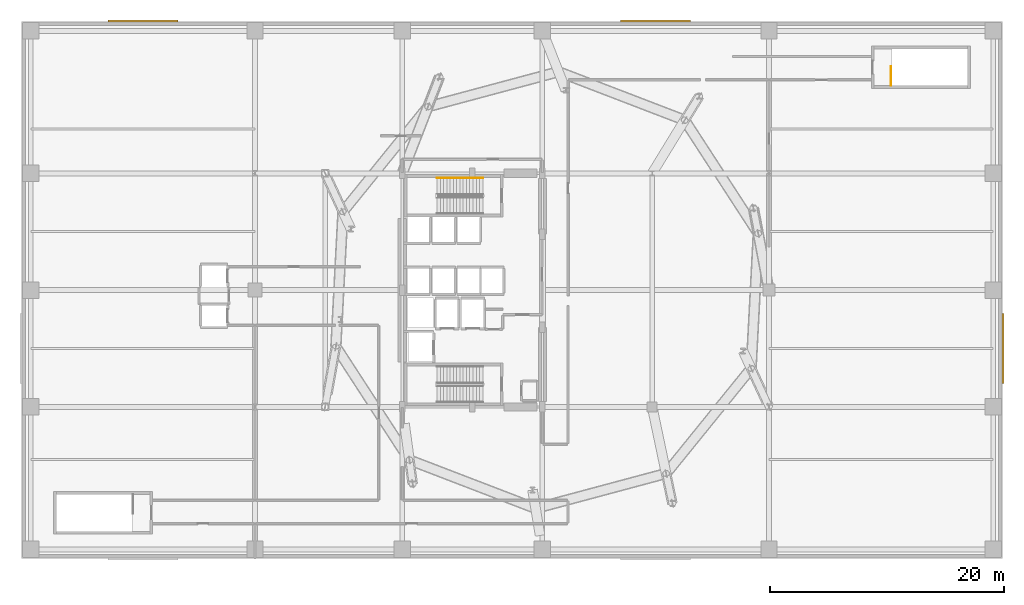
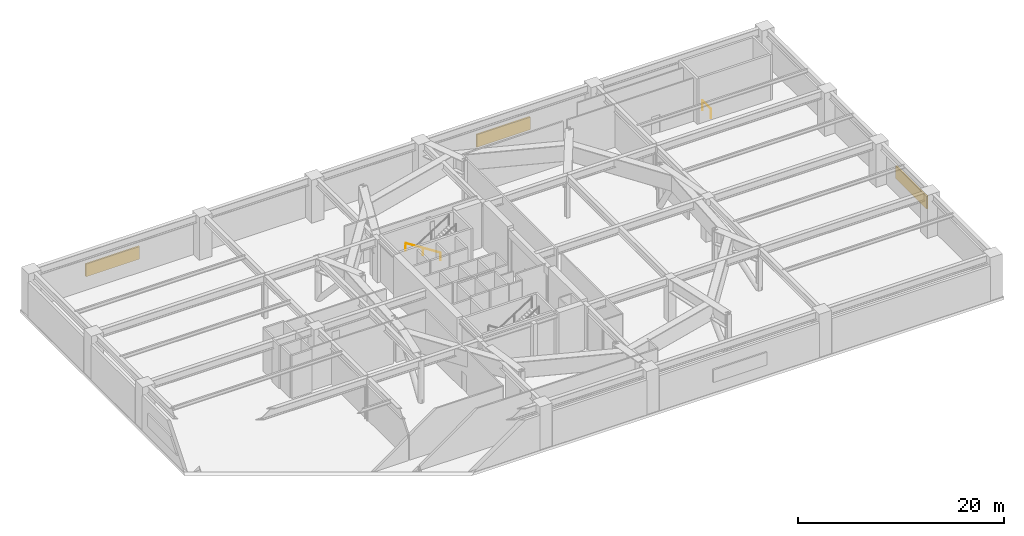
# One storey, part 12 of 12: 3 shading devices, 2 railings.
"""IFC4 building model written with IfcOpenShell, lengths in metres."""

from ifc_helpers import new_model, si_unit, direction, frame, origin, origin_2d, place, context, subcontext, project, spatial, rectangle, circle, extrude, material, layer, layer_set, type_object, element, save


model = new_model("IFC4")

# Units and contexts
model_context = context("Model", 3, precision=1e-05, world=origin(), true_north=direction((0.0, 1.0)))
body_context = subcontext(model_context, "Body", "Model", "MODEL_VIEW")
ifc_project = project(units=[si_unit("LENGTHUNIT", "METRE"), si_unit("AREAUNIT", "SQUARE_METRE"), si_unit("VOLUMEUNIT", "CUBIC_METRE"), si_unit("PLANEANGLEUNIT", "RADIAN"), si_unit("MASSUNIT", "GRAM", prefix="KILO")], contexts=[model_context])

# Site, building, storey
site_placement = place(None, origin())
site = spatial("IfcSite", under=ifc_project, at=site_placement, CompositionType="ELEMENT")
building_placement = place(site_placement, origin())
building = spatial("IfcBuilding", under=site, at=building_placement, Name="Soratama Intermodal Tower", CompositionType="ELEMENT")
storey_placement = place(building_placement, frame((0.0, 0.0, 25.199951171875)))
storey = spatial("IfcBuildingStorey", under=building, at=storey_placement, Name="L05", CompositionType="ELEMENT", Elevation=25.199951171875)

# Railings
ifc_material_1 = material(Name="Painted steel stair guardrail", Category="steel")
railing_type_1 = type_object("IfcRailingType", Name="RL-STAIR-GUARD", PredefinedType="GUARDRAIL", material=ifc_material_1)
railing_1_placement = place(storey_placement, frame((74.449951171875, 42.5, 0.0)))
element("IfcRailing", 1, at=railing_1_placement, inside=storey, type_object=railing_type_1, Name="L05 ST-4 top well guard 1", PredefinedType="GUARDRAIL", context=body_context, shape_type="SweptSolid", body=[
    extrude(circle(Radius=0.02392578125, at=origin_2d()), frame((0.0, 0.0, 1.1259765625), z_axis=(0.0, 1.0, 0.0), x_axis=(-1.0, 0.0, 0.0)), (0.0, 0.0, 1.0), 1.64990234375),
    extrude(circle(Radius=0.02099609375, at=origin_2d()), origin(), (0.0, 0.0, 1.0), 1.101806640625),
    extrude(circle(Radius=0.02099609375, at=origin_2d()), frame((0.0, 1.64990234375, 0.0)), (0.0, 0.0, 1.0), 1.101806640625),
])
ifc_material_2 = material(Name="Brushed stainless steel handrail", Category="steel")
railing_type_2 = type_object("IfcRailingType", Name="RL-STAIR-HAND", PredefinedType="HANDRAIL", material=ifc_material_2)
railing_2_placement = place(storey_placement, frame((39.5, 34.60009765625, 0.179931640625)))
element("IfcRailing", 2, at=railing_2_placement, inside=storey, type_object=railing_type_2, Name="L05 ST-2 stair handrail 1", PredefinedType="HANDRAIL", context=body_context, shape_type="SweptSolid", body=[
    extrude(circle(Radius=0.02392578125, at=origin_2d()), frame((0.0, 0.0, 0.8759765625), z_axis=(-0.841171666519, 0.0, 0.540768182723), x_axis=(0.0, -1.0, 0.0)), (0.0, 0.0, 1.0), 4.66015625),
    extrude(circle(Radius=0.02099609375, at=origin_2d()), origin(), (0.0, 0.0, 1.0), 0.851806640625),
    extrude(circle(Radius=0.02099609375, at=origin_2d()), frame((-1.9599609375, 0.0, 1.260009765625)), (0.0, 0.0, 1.0), 0.851806640625),
    extrude(circle(Radius=0.02099609375, at=origin_2d()), frame((-3.919921875, 0.0, 2.52001953125)), (0.0, 0.0, 1.0), 0.851806640625),
])

# Shading devices
ifc_material_3 = material(Name="Anodised aluminium weather louvre", Category="aluminium")
ifc_layer = layer(ifc_material_3, 0.1201171875)
ifc_layer_set = layer_set([ifc_layer], Name="Anodised aluminium weather louvre")
shading_device_type = type_object("IfcShadingDeviceType", Name="SH-LOUVRE-PLANT", PredefinedType="JALOUSIE", material=ifc_layer_set)
for number, where, z_axis, x_axis, name in (
    (3, (10.39990234375, 48.034912109375, 1.35009765625), (0.0, 0.0, 1.0), (1.0, 0.0, 0.0), "L05 Plant Louvre N1"),
    (4, (54.300048828125, 48.034912109375, 1.35009765625), (0.0, 0.0, 1.0), (1.0, 0.0, 0.0), "L05 Plant Louvre N4"),
    (5, (84.034912109375, 20.0, 1.35009765625), (0.0, 0.0, 1.0), (0.0, 1.0, 0.0), "L05 Plant Louvre E2"),
):
    element("IfcShadingDevice", number, at=place(storey_placement, frame(where, z_axis=z_axis, x_axis=x_axis)), inside=storey, type_object=shading_device_type, Name=name, PredefinedType="JALOUSIE", context=body_context, shape_type="SweptSolid", body=[
        extrude(rectangle(XDim=6.0, YDim=0.179931640625, at=origin_2d()), origin(), (0.0, 0.0, 1.0), 1.5),
    ])

save(model, "model.ifc")
